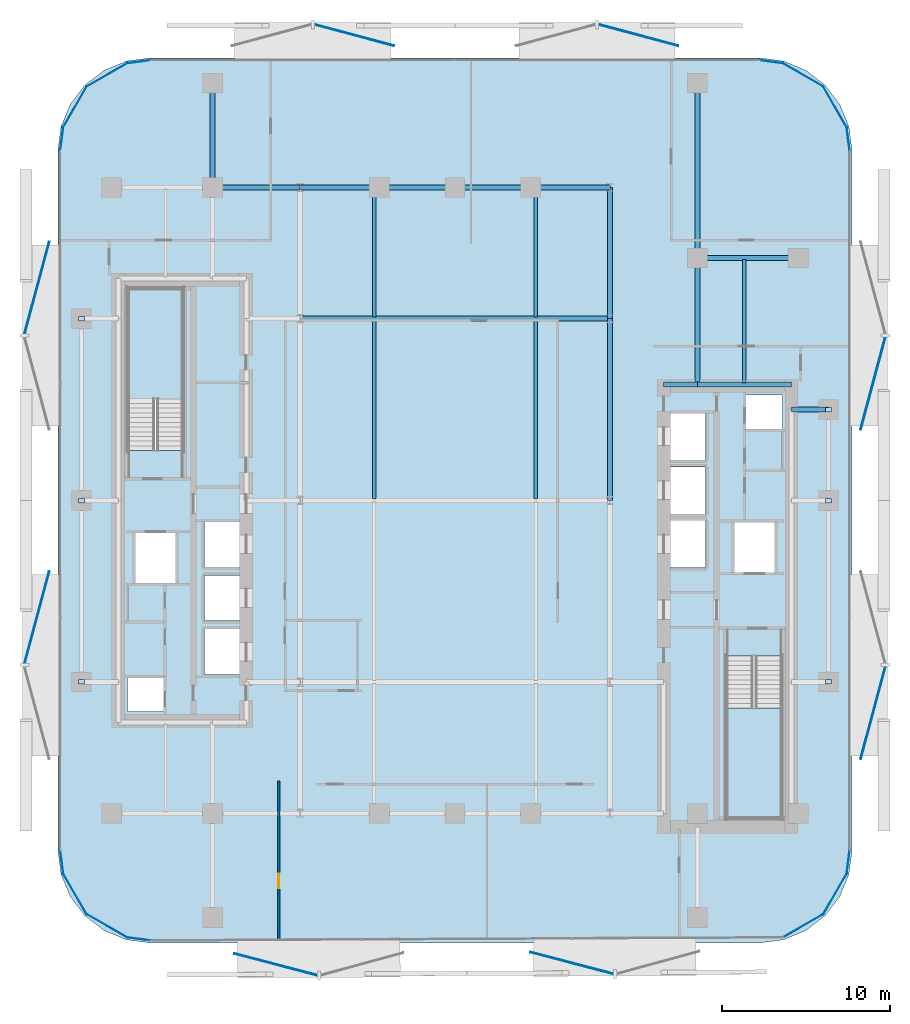
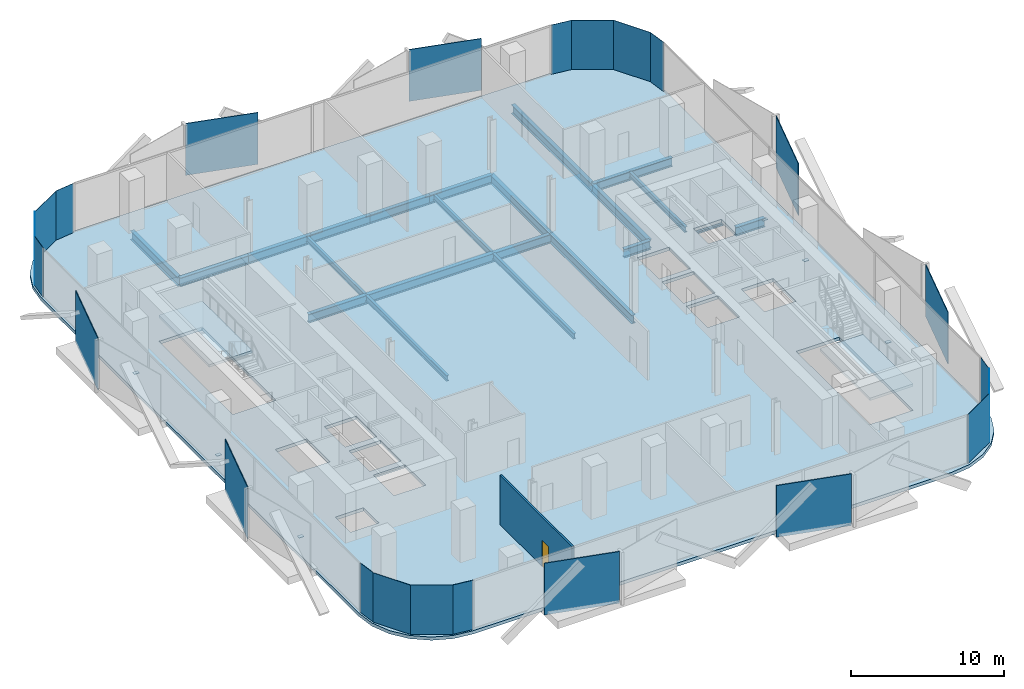
# One storey, part 2 of 15: 29 plates, 20 beams, 3 slabs, 1 door, 1 wall, 1 opening, 2 elements without a shape of their own.
"""IFC4 building model written with IfcOpenShell, lengths in metres."""

from ifc_helpers import new_model, si_unit, direction, frame, frame_2d, origin, origin_2d, place, context, subcontext, project, spatial, polyline, rectangle, i_section, outline, extrude, material, layer, layer_set, material_profile, profile_set, type_object, element, fill, aggregate, save


model = new_model("IFC4")

# Units and contexts
model_context = context("Model", 3, precision=1e-05, world=origin(), true_north=direction((0.0, 1.0)))
body_context = subcontext(model_context, "Body", "Model", "MODEL_VIEW")
ifc_project = project(units=[si_unit("LENGTHUNIT", "METRE"), si_unit("AREAUNIT", "SQUARE_METRE"), si_unit("VOLUMEUNIT", "CUBIC_METRE"), si_unit("PLANEANGLEUNIT", "RADIAN"), si_unit("MASSUNIT", "GRAM", prefix="KILO")], contexts=[model_context])

# Site, building, storey
site_placement = place(None, origin())
site = spatial("IfcSite", under=ifc_project, at=site_placement, CompositionType="ELEMENT")
building_placement = place(site_placement, origin())
building = spatial("IfcBuilding", under=site, at=building_placement, Name="Khairoan Windgate Tower", CompositionType="ELEMENT")
storey_placement = place(building_placement, frame((0.0, 0.0, 143.60009765625)))
storey = spatial("IfcBuildingStorey", under=building, at=storey_placement, Name="L33", CompositionType="ELEMENT", Elevation=143.60009765625)

# Beams
ifc_material_1 = material(Name="Steel S355", Category="steel")
ifc_material_profile_1 = material_profile(ifc_material_1, i_section(OverallWidth=0.300048828125, OverallDepth=0.699951171875, WebThickness=0.012939453125, FlangeThickness=0.02392578125, FilletRadius=0.02587890625, at=origin_2d()))
ifc_profile_set_1 = profile_set([ifc_material_profile_1], Name="Steel S355")
beam_type_1 = type_object("IfcBeamType", Name="Beam B-G3 H700x300x13x24", PredefinedType="BEAM", material=ifc_profile_set_1)
beam_1_placement = place(storey_placement, frame((20.0, 5.39990234375, -0.610107421875), z_axis=(1.0, 0.0, 0.0), x_axis=(0.0, 1.0, 0.0)))
element("IfcBeam", 1, at=beam_1_placement, inside=storey, type_object=beam_type_1, Name="L33 E-W Primary Girder 19", PredefinedType="BEAM", context=body_context, shape_type="SweptSolid", body=[
    extrude(i_section(OverallWidth=0.300048828125, OverallDepth=0.699951171875, WebThickness=0.012939453125, FlangeThickness=0.02392578125, FilletRadius=0.02587890625, at=origin_2d()), origin(), (0.0, 0.0, 1.0), 2.199951171875),
])
beam_2_placement = place(storey_placement, frame((12.39990234375, 6.89990234375, -0.610107421875), z_axis=(1.0, 0.0, 0.0), x_axis=(0.0, 1.0, 0.0)))
element("IfcBeam", 2, at=beam_2_placement, inside=storey, type_object=beam_type_1, Name="L33 E-W Primary Girder 20", PredefinedType="BEAM", context=body_context, shape_type="SweptSolid", body=[
    extrude(i_section(OverallWidth=0.300048828125, OverallDepth=0.699951171875, WebThickness=0.012939453125, FlangeThickness=0.02392578125, FilletRadius=0.02587890625, at=origin_2d()), origin(), (0.0, 0.0, 1.0), 2.0),
])
beam_3_placement = place(storey_placement, frame((14.39990234375, 6.89990234375, -0.610107421875), z_axis=(1.0, 0.0, 0.0), x_axis=(0.0, 1.0, 0.0)))
element("IfcBeam", 3, at=beam_3_placement, inside=storey, type_object=beam_type_1, Name="L33 E-W Primary Girder 21", PredefinedType="BEAM", context=body_context, shape_type="SweptSolid", body=[
    extrude(i_section(OverallWidth=0.300048828125, OverallDepth=0.699951171875, WebThickness=0.012939453125, FlangeThickness=0.02392578125, FilletRadius=0.02587890625, at=origin_2d()), origin(), (0.0, 0.0, 1.0), 5.60009765625),
])
beam_4_placement = place(storey_placement, frame((-9.199951171875, 10.800048828125, -0.610107421875), z_axis=(1.0, 0.0, 0.0), x_axis=(0.0, 1.0, 0.0)))
element("IfcBeam", 4, at=beam_4_placement, inside=storey, type_object=beam_type_1, Name="L33 E-W Primary Girder 24", PredefinedType="BEAM", context=body_context, shape_type="SweptSolid", body=[
    extrude(i_section(OverallWidth=0.300048828125, OverallDepth=0.699951171875, WebThickness=0.012939453125, FlangeThickness=0.02392578125, FilletRadius=0.02587890625, at=origin_2d()), origin(), (0.0, 0.0, 1.0), 18.39990234375),
])
beam_5_placement = place(storey_placement, frame((14.39990234375, 14.39990234375, -0.610107421875), z_axis=(1.0, 0.0, 0.0), x_axis=(0.0, 1.0, 0.0)))
element("IfcBeam", 5, at=beam_5_placement, inside=storey, type_object=beam_type_1, Name="L33 E-W Primary Girder 27", PredefinedType="BEAM", context=body_context, shape_type="SweptSolid", body=[
    extrude(i_section(OverallWidth=0.300048828125, OverallDepth=0.699951171875, WebThickness=0.012939453125, FlangeThickness=0.02392578125, FilletRadius=0.02587890625, at=origin_2d()), origin(), (0.0, 0.0, 1.0), 6.0),
])
beam_6_placement = place(storey_placement, frame((-14.39990234375, 18.60009765625, -0.610107421875), z_axis=(1.0, 0.0, 0.0), x_axis=(0.0, 1.0, 0.0)))
element("IfcBeam", 6, at=beam_6_placement, inside=storey, type_object=beam_type_1, Name="L33 E-W Primary Girder 29", PredefinedType="BEAM", context=body_context, shape_type="SweptSolid", body=[
    extrude(i_section(OverallWidth=0.300048828125, OverallDepth=0.699951171875, WebThickness=0.012939453125, FlangeThickness=0.02392578125, FilletRadius=0.02587890625, at=origin_2d()), origin(), (0.0, 0.0, 1.0), 5.199951171875),
])
beam_7_placement = place(storey_placement, frame((-9.199951171875, 18.60009765625, -0.610107421875), z_axis=(1.0, 0.0, 0.0), x_axis=(0.0, 1.0, 0.0)))
element("IfcBeam", 7, at=beam_7_placement, inside=storey, type_object=beam_type_1, Name="L33 E-W Primary Girder 30", PredefinedType="BEAM", context=body_context, shape_type="SweptSolid", body=[
    extrude(i_section(OverallWidth=0.300048828125, OverallDepth=0.699951171875, WebThickness=0.012939453125, FlangeThickness=0.02392578125, FilletRadius=0.02587890625, at=origin_2d()), origin(), (0.0, 0.0, 1.0), 4.699951171875),
])
for number, where, z_axis, x_axis, name in (
    (8, (-4.5, 18.60009765625, -0.610107421875), (1.0, 0.0, 0.0), (0.0, 1.0, 0.0), "L33 E-W Primary Girder 31"),
    (9, (0.0, 18.60009765625, -0.610107421875), (1.0, 0.0, 0.0), (0.0, 1.0, 0.0), "L33 E-W Primary Girder 32"),
):
    element("IfcBeam", number, at=place(storey_placement, frame(where, z_axis=z_axis, x_axis=x_axis)), inside=storey, type_object=beam_type_1, Name=name, PredefinedType="BEAM", context=body_context, shape_type="SweptSolid", body=[
        extrude(i_section(OverallWidth=0.300048828125, OverallDepth=0.699951171875, WebThickness=0.012939453125, FlangeThickness=0.02392578125, FilletRadius=0.02587890625, at=origin_2d()), origin(), (0.0, 0.0, 1.0), 4.5),
    ])
beam_8_placement = place(storey_placement, frame((4.5, 18.60009765625, -0.610107421875), z_axis=(1.0, 0.0, 0.0), x_axis=(0.0, 1.0, 0.0)))
element("IfcBeam", 10, at=beam_8_placement, inside=storey, type_object=beam_type_1, Name="L33 E-W Primary Girder 33", PredefinedType="BEAM", context=body_context, shape_type="SweptSolid", body=[
    extrude(i_section(OverallWidth=0.300048828125, OverallDepth=0.699951171875, WebThickness=0.012939453125, FlangeThickness=0.02392578125, FilletRadius=0.02587890625, at=origin_2d()), origin(), (0.0, 0.0, 1.0), 4.699951171875),
])
beam_9_placement = place(storey_placement, frame((-14.39990234375, 18.60009765625, -0.610107421875), z_axis=(0.0, 1.0, 0.0), x_axis=(-1.0, 0.0, 0.0)))
element("IfcBeam", 11, at=beam_9_placement, inside=storey, type_object=beam_type_1, Name="L33 N-S Primary Beam 43", PredefinedType="BEAM", context=body_context, shape_type="SweptSolid", body=[
    extrude(i_section(OverallWidth=0.300048828125, OverallDepth=0.699951171875, WebThickness=0.012939453125, FlangeThickness=0.02392578125, FilletRadius=0.02587890625, at=origin_2d()), origin(), (0.0, 0.0, 1.0), 6.199951171875),
])
beam_10_placement = place(storey_placement, frame((9.199951171875, 0.0, -0.610107421875), z_axis=(0.0, 1.0, 0.0), x_axis=(-1.0, 0.0, 0.0)))
element("IfcBeam", 12, at=beam_10_placement, inside=storey, type_object=beam_type_1, Name="L33 N-S Primary Beam 53", PredefinedType="BEAM", context=body_context, shape_type="SweptSolid", body=[
    extrude(i_section(OverallWidth=0.300048828125, OverallDepth=0.699951171875, WebThickness=0.012939453125, FlangeThickness=0.02392578125, FilletRadius=0.02587890625, at=origin_2d()), origin(), (0.0, 0.0, 1.0), 10.800048828125),
])
beam_11_placement = place(storey_placement, frame((9.199951171875, 10.800048828125, -0.610107421875), z_axis=(0.0, 1.0, 0.0), x_axis=(-1.0, 0.0, 0.0)))
element("IfcBeam", 13, at=beam_11_placement, inside=storey, type_object=beam_type_1, Name="L33 N-S Primary Beam 54", PredefinedType="BEAM", context=body_context, shape_type="SweptSolid", body=[
    extrude(i_section(OverallWidth=0.300048828125, OverallDepth=0.699951171875, WebThickness=0.012939453125, FlangeThickness=0.02392578125, FilletRadius=0.02587890625, at=origin_2d()), origin(), (0.0, 0.0, 1.0), 7.800048828125),
])
beam_12_placement = place(storey_placement, frame((14.39990234375, 6.89990234375, -0.610107421875), z_axis=(0.0, 1.0, 0.0), x_axis=(-1.0, 0.0, 0.0)))
element("IfcBeam", 14, at=beam_12_placement, inside=storey, type_object=beam_type_1, Name="L33 N-S Primary Beam 57", PredefinedType="BEAM", context=body_context, shape_type="SweptSolid", body=[
    extrude(i_section(OverallWidth=0.300048828125, OverallDepth=0.699951171875, WebThickness=0.012939453125, FlangeThickness=0.02392578125, FilletRadius=0.02587890625, at=origin_2d()), origin(), (0.0, 0.0, 1.0), 7.5),
])
beam_13_placement = place(storey_placement, frame((14.39990234375, 14.39990234375, -0.610107421875), z_axis=(0.0, 1.0, 0.0), x_axis=(-1.0, 0.0, 0.0)))
element("IfcBeam", 15, at=beam_13_placement, inside=storey, type_object=beam_type_1, Name="L33 N-S Primary Beam 58", PredefinedType="BEAM", context=body_context, shape_type="SweptSolid", body=[
    extrude(i_section(OverallWidth=0.300048828125, OverallDepth=0.699951171875, WebThickness=0.012939453125, FlangeThickness=0.02392578125, FilletRadius=0.02587890625, at=origin_2d()), origin(), (0.0, 0.0, 1.0), 10.400146484375),
])
ifc_material_2 = material(Name="Steel S355", Category="steel")
ifc_material_profile_2 = material_profile(ifc_material_2, i_section(OverallWidth=0.199951171875, OverallDepth=0.449951171875, WebThickness=0.009033203125, FlangeThickness=0.013916015625, FilletRadius=0.01806640625, at=origin_2d()))
ifc_profile_set_2 = profile_set([ifc_material_profile_2], Name="Steel S355")
beam_type_2 = type_object("IfcBeamType", Name="Beam J-S3 H450x200x9x14", PredefinedType="JOIST", material=ifc_profile_set_2)
beam_14_placement = place(storey_placement, frame((-4.800048828125, 0.090087890625, -0.485107421875), z_axis=(0.0, 1.0, 0.0), x_axis=(-1.0, 0.0, 0.0)))
element("IfcBeam", 16, at=beam_14_placement, inside=storey, type_object=beam_type_2, Name="L33 Secondary Floor Joist 05", PredefinedType="JOIST", context=body_context, shape_type="SweptSolid", body=[
    extrude(i_section(OverallWidth=0.199951171875, OverallDepth=0.449951171875, WebThickness=0.009033203125, FlangeThickness=0.013916015625, FilletRadius=0.01806640625, at=origin_2d()), origin(), (0.0, 0.0, 1.0), 10.619873046875),
])
beam_15_placement = place(storey_placement, frame((-4.800048828125, 10.889892578125, -0.485107421875), z_axis=(0.0, 1.0, 0.0), x_axis=(-1.0, 0.0, 0.0)))
element("IfcBeam", 17, at=beam_15_placement, inside=storey, type_object=beam_type_2, Name="L33 Secondary Floor Joist 06", PredefinedType="JOIST", context=body_context, shape_type="SweptSolid", body=[
    extrude(i_section(OverallWidth=0.199951171875, OverallDepth=0.449951171875, WebThickness=0.009033203125, FlangeThickness=0.013916015625, FilletRadius=0.01806640625, at=origin_2d()), origin(), (0.0, 0.0, 1.0), 7.6201171875),
])
beam_16_placement = place(storey_placement, frame((4.800048828125, 0.090087890625, -0.485107421875), z_axis=(0.0, 1.0, 0.0), x_axis=(-1.0, 0.0, 0.0)))
element("IfcBeam", 18, at=beam_16_placement, inside=storey, type_object=beam_type_2, Name="L33 Secondary Floor Joist 09", PredefinedType="JOIST", context=body_context, shape_type="SweptSolid", body=[
    extrude(i_section(OverallWidth=0.199951171875, OverallDepth=0.449951171875, WebThickness=0.009033203125, FlangeThickness=0.013916015625, FilletRadius=0.01806640625, at=origin_2d()), origin(), (0.0, 0.0, 1.0), 10.619873046875),
])
beam_17_placement = place(storey_placement, frame((4.800048828125, 10.889892578125, -0.485107421875), z_axis=(0.0, 1.0, 0.0), x_axis=(-1.0, 0.0, 0.0)))
element("IfcBeam", 19, at=beam_17_placement, inside=storey, type_object=beam_type_2, Name="L33 Secondary Floor Joist 10", PredefinedType="JOIST", context=body_context, shape_type="SweptSolid", body=[
    extrude(i_section(OverallWidth=0.199951171875, OverallDepth=0.449951171875, WebThickness=0.009033203125, FlangeThickness=0.013916015625, FilletRadius=0.01806640625, at=origin_2d()), origin(), (0.0, 0.0, 1.0), 7.6201171875),
])
beam_18_placement = place(storey_placement, frame((17.199951171875, 6.989990234375, -0.485107421875), z_axis=(0.0, 1.0, 0.0), x_axis=(-1.0, 0.0, 0.0)))
element("IfcBeam", 20, at=beam_18_placement, inside=storey, type_object=beam_type_2, Name="L33 Secondary Floor Joist 11", PredefinedType="JOIST", context=body_context, shape_type="SweptSolid", body=[
    extrude(i_section(OverallWidth=0.199951171875, OverallDepth=0.449951171875, WebThickness=0.009033203125, FlangeThickness=0.013916015625, FilletRadius=0.01806640625, at=origin_2d()), origin(), (0.0, 0.0, 1.0), 7.320068359375),
])

# Plates
ifc_material_3 = material(Name="Low-E Solar Control Laminated Glass", Category="glass")
ifc_layer_1 = layer(ifc_material_3, 0.030029296875, Name="Low-E Solar Control Laminated Glass")
ifc_layer_set_1 = layer_set([ifc_layer_1], Name="Low-E Solar Control Laminated Glass")
plate_type_1 = type_object("IfcPlateType", Name="Aerodynamic Wind-Corner Curved Glazing Plate", PredefinedType="USERDEFINED", material=ifc_layer_set_1)
plate_placement = place(storey_placement, frame((-18.788818359375, -26.068115234375, 0.0), z_axis=(0.0, 0.0, 1.0), x_axis=(-0.991444861374, 0.13052619222, 0.0)))
element("IfcPlate", 21, at=plate_placement, inside=storey, type_object=plate_type_1, Name="L33 Aerodynamic Wind-Corner Curved Glazing Panel 2", ObjectType="GLAZING PANEL", PredefinedType="USERDEFINED", context=body_context, shape_type="SweptSolid", body=[
    extrude(rectangle(XDim=1.4482421875, YDim=0.028076171875, at=origin_2d()), origin(), (0.0, 0.0, 1.0), 3.93994140625),
])
for number, where, z_axis, x_axis, name in (
    (22, (-20.688232421875, -25.28271484375, 0.0), (0.0, 0.0, 1.0), (-0.866025403784, 0.5, 0.0), "L33 Aerodynamic Wind-Corner Curved Glazing Panel 3"),
    (23, (-22.582763671875, -23.38818359375, 0.0), (0.0, 0.0, 1.0), (-0.5, 0.866025403784, 0.0), "L33 Aerodynamic Wind-Corner Curved Glazing Panel 4"),
):
    element("IfcPlate", number, at=place(storey_placement, frame(where, z_axis=z_axis, x_axis=x_axis)), inside=storey, type_object=plate_type_1, Name=name, ObjectType="GLAZING PANEL", PredefinedType="USERDEFINED", context=body_context, shape_type="SweptSolid", body=[
        extrude(rectangle(XDim=2.81396484375, YDim=0.028076171875, at=origin_2d()), origin(), (0.0, 0.0, 1.0), 3.93994140625),
    ])
for number, where, z_axis, x_axis, name in (
    (24, (-23.3681640625, -21.489013671875, 0.0), (0.0, 0.0, 1.0), (-0.13052619222, 0.991444861374, 0.0), "L33 Aerodynamic Wind-Corner Curved Glazing Panel 5"),
    (25, (-23.3681640625, 21.489013671875, 0.0), (0.0, 0.0, 1.0), (0.13052619222, 0.991444861374, 0.0), "L33 Aerodynamic Wind-Corner Curved Glazing Panel 7"),
):
    element("IfcPlate", number, at=place(storey_placement, frame(where, z_axis=z_axis, x_axis=x_axis)), inside=storey, type_object=plate_type_1, Name=name, ObjectType="GLAZING PANEL", PredefinedType="USERDEFINED", context=body_context, shape_type="SweptSolid", body=[
        extrude(rectangle(XDim=1.4482421875, YDim=0.028076171875, at=origin_2d()), origin(), (0.0, 0.0, 1.0), 3.93994140625),
    ])
for number, where, z_axis, x_axis, name in (
    (26, (-22.582763671875, 23.38818359375, 0.0), (0.0, 0.0, 1.0), (0.5, 0.866025403784, 0.0), "L33 Aerodynamic Wind-Corner Curved Glazing Panel 8"),
    (27, (-20.688232421875, 25.28271484375, 0.0), (0.0, 0.0, 1.0), (0.866025403784, 0.5, 0.0), "L33 Aerodynamic Wind-Corner Curved Glazing Panel 9"),
):
    element("IfcPlate", number, at=place(storey_placement, frame(where, z_axis=z_axis, x_axis=x_axis)), inside=storey, type_object=plate_type_1, Name=name, ObjectType="GLAZING PANEL", PredefinedType="USERDEFINED", context=body_context, shape_type="SweptSolid", body=[
        extrude(rectangle(XDim=2.81396484375, YDim=0.028076171875, at=origin_2d()), origin(), (0.0, 0.0, 1.0), 3.93994140625),
    ])
for number, where, z_axis, x_axis, name in (
    (28, (-18.788818359375, 26.068115234375, 0.0), (0.0, 0.0, 1.0), (0.991444861374, 0.13052619222, 0.0), "L33 Aerodynamic Wind-Corner Curved Glazing Panel 10"),
    (29, (18.788818359375, 26.068115234375, 0.0), (0.0, 0.0, 1.0), (0.991444861374, -0.13052619222, 0.0), "L33 Aerodynamic Wind-Corner Curved Glazing Panel 12"),
):
    element("IfcPlate", number, at=place(storey_placement, frame(where, z_axis=z_axis, x_axis=x_axis)), inside=storey, type_object=plate_type_1, Name=name, ObjectType="GLAZING PANEL", PredefinedType="USERDEFINED", context=body_context, shape_type="SweptSolid", body=[
        extrude(rectangle(XDim=1.4482421875, YDim=0.028076171875, at=origin_2d()), origin(), (0.0, 0.0, 1.0), 3.93994140625),
    ])
for number, where, z_axis, x_axis, name in (
    (30, (20.688232421875, 25.28271484375, 0.0), (0.0, 0.0, 1.0), (0.866025403784, -0.5, 0.0), "L33 Aerodynamic Wind-Corner Curved Glazing Panel 13"),
    (31, (22.582763671875, 23.38818359375, 0.0), (0.0, 0.0, 1.0), (0.5, -0.866025403784, 0.0), "L33 Aerodynamic Wind-Corner Curved Glazing Panel 14"),
):
    element("IfcPlate", number, at=place(storey_placement, frame(where, z_axis=z_axis, x_axis=x_axis)), inside=storey, type_object=plate_type_1, Name=name, ObjectType="GLAZING PANEL", PredefinedType="USERDEFINED", context=body_context, shape_type="SweptSolid", body=[
        extrude(rectangle(XDim=2.81396484375, YDim=0.028076171875, at=origin_2d()), origin(), (0.0, 0.0, 1.0), 3.93994140625),
    ])
for number, where, z_axis, x_axis, name in (
    (32, (23.3681640625, 21.489013671875, 0.0), (0.0, 0.0, 1.0), (0.13052619222, -0.991444861374, 0.0), "L33 Aerodynamic Wind-Corner Curved Glazing Panel 15"),
    (33, (23.3681640625, -21.489013671875, 0.0), (0.0, 0.0, 1.0), (-0.13052619222, -0.991444861374, 0.0), "L33 Aerodynamic Wind-Corner Curved Glazing Panel 17"),
):
    element("IfcPlate", number, at=place(storey_placement, frame(where, z_axis=z_axis, x_axis=x_axis)), inside=storey, type_object=plate_type_1, Name=name, ObjectType="GLAZING PANEL", PredefinedType="USERDEFINED", context=body_context, shape_type="SweptSolid", body=[
        extrude(rectangle(XDim=1.4482421875, YDim=0.028076171875, at=origin_2d()), origin(), (0.0, 0.0, 1.0), 3.93994140625),
    ])
for number, where, z_axis, x_axis, name in (
    (34, (22.582763671875, -23.38818359375, 0.0), (0.0, 0.0, 1.0), (-0.5, -0.866025403784, 0.0), "L33 Aerodynamic Wind-Corner Curved Glazing Panel 18"),
    (35, (20.688232421875, -25.28271484375, 0.0), (0.0, 0.0, 1.0), (-0.866025403784, -0.5, 0.0), "L33 Aerodynamic Wind-Corner Curved Glazing Panel 19"),
):
    element("IfcPlate", number, at=place(storey_placement, frame(where, z_axis=z_axis, x_axis=x_axis)), inside=storey, type_object=plate_type_1, Name=name, ObjectType="GLAZING PANEL", PredefinedType="USERDEFINED", context=body_context, shape_type="SweptSolid", body=[
        extrude(rectangle(XDim=2.81396484375, YDim=0.028076171875, at=origin_2d()), origin(), (0.0, 0.0, 1.0), 3.93994140625),
    ])
ifc_material_4 = material(Name="Steel S355", Category="steel")
ifc_layer_2 = layer(ifc_material_4, 0.0400390625, Name="Steel S355")
ifc_layer_set_2 = layer_set([ifc_layer_2], Name="Steel S355")
plate_type_2 = type_object("IfcPlateType", Name="Hollow Section End-Cap Plate PL-CAP40", PredefinedType="SHEET", material=ifc_layer_set_2)
for number, where, z_axis, x_axis, name in (
    (36, (-22.199951171875, -10.784912109375, -0.455078125), (0.0, 0.0, 1.0), (0.0, 1.0, 0.0), "BM-SP-L33-034 steel end-cap plate 1"),
    (37, (-22.199951171875, -0.014892578125, -0.455078125), (0.0, 0.0, 1.0), (0.0, 1.0, 0.0), "BM-SP-L33-034 steel end-cap plate 2"),
    (38, (-22.199951171875, 10.784912109375, -0.455078125), (0.0, 0.0, 1.0), (0.0, 1.0, 0.0), "BM-SP-L33-035 steel end-cap plate 2"),
    (39, (22.199951171875, -10.784912109375, -0.455078125), (0.0, 0.0, 1.0), (0.0, 1.0, 0.0), "BM-SP-L33-062 steel end-cap plate 1"),
    (40, (22.199951171875, -0.014892578125, -0.455078125), (0.0, 0.0, 1.0), (0.0, 1.0, 0.0), "BM-SP-L33-062 steel end-cap plate 2"),
    (41, (22.199951171875, 5.385009765625, -0.455078125), (0.0, 0.0, 1.0), (0.0, 1.0, 0.0), "BM-SP-L33-063 steel end-cap plate 2"),
):
    element("IfcPlate", number, at=place(storey_placement, frame(where, z_axis=z_axis, x_axis=x_axis)), inside=storey, type_object=plate_type_2, Name=name, PredefinedType="SHEET", context=body_context, shape_type="SweptSolid", body=[
        extrude(rectangle(XDim=0.27001953125, YDim=0.3701171875, at=origin_2d()), origin(), (0.0, 0.0, 1.0), 0.0400390625),
    ])
ifc_material_5 = material(Name="Anodised Bronze Aluminium 6063-T6", Category="aluminium")
ifc_layer_3 = layer(ifc_material_5, 0.054931640625, Name="Anodised Bronze Aluminium 6063-T6")
ifc_layer_set_3 = layer_set([ifc_layer_3], Name="Anodised Bronze Aluminium 6063-T6")
plate_type_3 = type_object("IfcPlateType", Name="Perforated Bronze Solar Screen Panel BSP-1", PredefinedType="USERDEFINED", material=ifc_layer_set_3)
for number, where, z_axis, x_axis, name in (
    (42, (6.946044921875, -27.497314453125, -0.10009765625), (0.0, 0.0, 1.0), (-0.967179115616, 0.254095569259, 0.0), "L33 Perforated Bronze Solar Screen Panel 209R"),
    (43, (-10.642822265625, -27.58349609375, -0.10009765625), (0.0, 0.0, 1.0), (-0.967179115616, 0.254095569259, 0.0), "L33 Perforated Bronze Solar Screen Panel 210R"),
):
    element("IfcPlate", number, at=place(storey_placement, frame(where, z_axis=z_axis, x_axis=x_axis)), inside=storey, type_object=plate_type_3, Name=name, ObjectType="SCREEN", PredefinedType="USERDEFINED", context=body_context, shape_type="SweptSolid", body=[
        extrude(rectangle(XDim=5.10107421875, YDim=0.054931640625, at=origin_2d()), origin(), (0.0, 0.0, 1.0), 4.139892578125),
    ])
for number, where, z_axis, x_axis, name in (
    (44, (-24.8447265625, -6.961669921875, -0.10009765625), (0.0, 0.0, 1.0), (0.258819045103, 0.965925826289, 0.0), "L33 Perforated Bronze Solar Screen Panel 211R"),
    (45, (-24.8447265625, 12.629150390625, -0.10009765625), (0.0, 0.0, 1.0), (0.258819045103, 0.965925826289, 0.0), "L33 Perforated Bronze Solar Screen Panel 212R"),
):
    element("IfcPlate", number, at=place(storey_placement, frame(where, z_axis=z_axis, x_axis=x_axis)), inside=storey, type_object=plate_type_3, Name=name, ObjectType="SCREEN", PredefinedType="USERDEFINED", context=body_context, shape_type="SweptSolid", body=[
        extrude(rectangle(XDim=5.680908203125, YDim=0.054931640625, at=origin_2d()), origin(), (0.0, 0.0, 1.0), 4.139892578125),
    ])
for number, where, z_axis, x_axis, name in (
    (46, (-5.98974609375, 27.646240234375, -0.10009765625), (0.0, 0.0, 1.0), (0.965925826289, -0.258819045103, 0.0), "L33 Perforated Bronze Solar Screen Panel 213R"),
    (47, (10.90087890625, 27.646240234375, -0.10009765625), (0.0, 0.0, 1.0), (0.965925826289, -0.258819045103, 0.0), "L33 Perforated Bronze Solar Screen Panel 214R"),
):
    element("IfcPlate", number, at=place(storey_placement, frame(where, z_axis=z_axis, x_axis=x_axis)), inside=storey, type_object=plate_type_3, Name=name, ObjectType="SCREEN", PredefinedType="USERDEFINED", context=body_context, shape_type="SweptSolid", body=[
        extrude(rectangle(XDim=4.89794921875, YDim=0.054931640625, at=origin_2d()), origin(), (0.0, 0.0, 1.0), 4.139892578125),
    ])
for number, where, z_axis, x_axis, name in (
    (48, (24.8447265625, 6.961669921875, -0.10009765625), (0.0, 0.0, 1.0), (-0.258819045103, -0.965925826289, 0.0), "L33 Perforated Bronze Solar Screen Panel 215R"),
    (49, (24.8447265625, -12.629150390625, -0.10009765625), (0.0, 0.0, 1.0), (-0.258819045103, -0.965925826289, 0.0), "L33 Perforated Bronze Solar Screen Panel 216R"),
):
    element("IfcPlate", number, at=place(storey_placement, frame(where, z_axis=z_axis, x_axis=x_axis)), inside=storey, type_object=plate_type_3, Name=name, ObjectType="SCREEN", PredefinedType="USERDEFINED", context=body_context, shape_type="SweptSolid", body=[
        extrude(rectangle(XDim=5.680908203125, YDim=0.054931640625, at=origin_2d()), origin(), (0.0, 0.0, 1.0), 4.139892578125),
    ])

# Stair, slab
ifc_material_6 = material(Name="Concrete C40/50", Category="concrete")
stair_type = type_object("IfcStairType", Name="Tower Core Dog-Leg Stair ST-T1 1560mm", PredefinedType="HALF_TURN_STAIR", material=ifc_material_6)
stair_1_placement = place(storey_placement, origin())
stair_1 = element("IfcStair", 50, at=stair_1_placement, inside=storey, type_object=stair_type, Name="L33 Stair ST1", PredefinedType="HALF_TURN_STAIR")
ifc_material_7 = material(Name="Concrete C40/50", Category="concrete")
ifc_layer_4 = layer(ifc_material_7, 0.199951171875, Name="Concrete C40/50")
ifc_layer_set_4 = layer_set([ifc_layer_4], Name="Concrete C40/50")
slab_type_1 = type_object("IfcSlabType", Name="Reinforced Concrete Stair Landing Slab STL-200", PredefinedType="LANDING", material=ifc_layer_set_4)
slab_1_placement = place(storey_placement, frame((0.0, 0.0, 1.89990234375)))
slab_1 = element("IfcSlab", 51, at=slab_1_placement, type_object=slab_type_1, Name="ST1 landing 1", PredefinedType="LANDING", context=body_context, shape_type="SweptSolid", body=[
    extrude(outline(polyline([(16.14990234375, -12.340087890625), (16.14990234375, -18.89990234375), (19.419921875, -18.89990234375), (19.419921875, -12.340087890625), (16.14990234375, -12.340087890625)])), origin(), (0.0, 0.0, 1.0), 0.199951171875),
])
aggregate(stair_1, [slab_1])

stair_2_placement = place(storey_placement, origin())
stair_2 = element("IfcStair", 52, at=stair_2_placement, inside=storey, type_object=stair_type, Name="L33 Stair ST2", PredefinedType="HALF_TURN_STAIR")
slab_2_placement = place(storey_placement, frame((0.0, 0.0, 1.89990234375)))
slab_2 = element("IfcSlab", 53, at=slab_2_placement, type_object=slab_type_1, Name="ST2 landing 1", PredefinedType="LANDING", context=body_context, shape_type="SweptSolid", body=[
    extrude(outline(polyline([(-16.14990234375, 6.0400390625), (-16.14990234375, 12.60009765625), (-19.419921875, 12.60009765625), (-19.419921875, 6.0400390625), (-16.14990234375, 6.0400390625)])), origin(), (0.0, 0.0, 1.0), 0.199951171875),
])
aggregate(stair_2, [slab_2])

# Slab
ifc_material_8 = material(Name="Concrete C40/50", Category="concrete")
ifc_layer_5 = layer(ifc_material_8, 0.260009765625, Name="Concrete C40/50")
ifc_layer_set_5 = layer_set([ifc_layer_5], Name="Concrete C40/50")
slab_type_2 = type_object("IfcSlabType", Name="Tower Composite Floor Slab FS2 260mm", PredefinedType="FLOOR", material=ifc_layer_set_5)
slab_3_placement = place(storey_placement, frame((0.0, 0.0, -0.260009765625)))
element("IfcSlab", 54, at=slab_3_placement, inside=storey, type_object=slab_type_2, Name="L33 Structural Floor Slab", PredefinedType="FLOOR", context=body_context, shape_type="SweptSolid", body=[
    extrude(outline(polyline([(18.10009765625, -26.300048828125), (19.5234375, -26.112548828125), (20.85009765625, -25.56298828125), (21.989013671875, -24.689208984375), (22.863037109375, -23.550048828125), (23.41259765625, -22.223388671875), (23.60009765625, -20.800048828125), (23.60009765625, 20.800048828125), (23.41259765625, 22.223388671875), (22.863037109375, 23.550048828125), (21.989013671875, 24.689208984375), (20.85009765625, 25.56298828125), (19.5234375, 26.112548828125), (18.10009765625, 26.300048828125), (-18.10009765625, 26.300048828125), (-19.5234375, 26.112548828125), (-20.85009765625, 25.56298828125), (-21.989013671875, 24.689208984375), (-22.863037109375, 23.550048828125), (-23.41259765625, 22.223388671875), (-23.60009765625, 20.800048828125), (-23.60009765625, -20.800048828125), (-23.41259765625, -22.223388671875), (-22.863037109375, -23.550048828125), (-21.989013671875, -24.689208984375), (-20.85009765625, -25.56298828125), (-19.5234375, -26.112548828125), (-18.10009765625, -26.300048828125), (18.10009765625, -26.300048828125)]), holes=[polyline([(16.14990234375, -9.260009765625), (16.14990234375, -18.89990234375), (19.419921875, -18.89990234375), (19.419921875, -9.260009765625), (16.14990234375, -9.260009765625)]), polyline([(-16.14990234375, 2.9599609375), (-16.14990234375, 12.60009765625), (-19.419921875, 12.60009765625), (-19.419921875, 2.9599609375), (-16.14990234375, 2.9599609375)]), polyline([(-14.89990234375, -3.949951171875), (-12.5, -3.949951171875), (-12.5, -1.25), (-14.89990234375, -1.25), (-14.89990234375, -3.949951171875)]), polyline([(-14.89990234375, -7.14990234375), (-12.5, -7.14990234375), (-12.5, -4.449951171875), (-14.89990234375, -4.449951171875), (-14.89990234375, -7.14990234375)]), polyline([(-14.89990234375, -10.35009765625), (-12.5, -10.35009765625), (-12.5, -7.64990234375), (-14.89990234375, -7.64990234375), (-14.89990234375, -10.35009765625)]), polyline([(12.5, 2.39990234375), (14.89990234375, 2.39990234375), (14.89990234375, 5.199951171875), (12.5, 5.199951171875), (12.5, 2.39990234375)]), polyline([(12.5, -0.800048828125), (14.89990234375, -0.800048828125), (14.89990234375, 2.0), (12.5, 2.0), (12.5, -0.800048828125)]), polyline([(12.5, -4.0), (14.89990234375, -4.0), (14.89990234375, -1.199951171875), (12.5, -1.199951171875), (12.5, -4.0)]), polyline([(16.60009765625, -4.300048828125), (19.0, -4.300048828125), (19.0, -1.300048828125), (16.60009765625, -1.300048828125), (16.60009765625, -4.300048828125)]), polyline([(-19.0, -4.89990234375), (-16.60009765625, -4.89990234375), (-16.60009765625, -1.89990234375), (-19.0, -1.89990234375), (-19.0, -4.89990234375)]), polyline([(-19.449951171875, -12.550048828125), (-17.31005859375, -12.550048828125), (-17.31005859375, -10.550048828125), (-19.449951171875, -10.550048828125), (-19.449951171875, -12.550048828125)]), polyline([(17.31005859375, 4.25), (19.449951171875, 4.25), (19.449951171875, 6.25), (17.31005859375, 6.25), (17.31005859375, 4.25)])]), origin(), (0.0, 0.0, 1.0), 0.260009765625),
])

# Wall, opening, door
ifc_material_9 = material(Name="Acoustic Fire-Rated Gypsum Partition", Category="gypsum")
ifc_layer_6 = layer(ifc_material_9, 0.139892578125, Name="Acoustic Fire-Rated Gypsum Partition")
ifc_layer_set_6 = layer_set([ifc_layer_6], Name="Acoustic Fire-Rated Gypsum Partition")
wall_type = type_object("IfcWallType", Name="Inter-Tenancy Compartment Wall", PredefinedType="PARTITIONING", material=ifc_layer_set_6)
wall_placement = place(storey_placement, frame((-10.471923828125, -26.11767578125, 0.0), z_axis=(0.0, 0.0, 1.0), x_axis=(0.0, 1.0, 0.0)))
wall = element("IfcWall", 55, at=wall_placement, inside=storey, type_object=wall_type, Name="L33 Interior Partition 030", PredefinedType="PARTITIONING", context=body_context, shape_type="SweptSolid", body=[
    extrude(rectangle(XDim=9.437744140625, YDim=0.139892578125, at=frame_2d((4.71875, 0.0))), origin(), (0.0, 0.0, 1.0), 3.93994140625),
])
opening_placement = place(wall_placement, frame((3.083251953125, 0.0, 0.0)))
opening = element("IfcOpeningElement", 56, at=opening_placement, cuts=wall, Name="Opening FD-SRV", PredefinedType="OPENING", context=body_context, shape_type="SweptSolid", body=[
    extrude(rectangle(XDim=0.85009765625, YDim=2.10009765625, at=frame_2d((0.425048828125, 1.050048828125))), frame((0.0, 0.079833984375, 0.0), z_axis=(0.0, -1.0, 0.0), x_axis=(1.0, 0.0, 0.0)), (0.0, 0.0, 1.0), 0.159912109375),
])
ifc_material_10 = material(Name="Steel S355", Category="steel")
door_type = type_object("IfcDoorType", Name="Core Service and Riser Fire Door FD-SRV 850x2100", OperationType="NOTDEFINED", PredefinedType="DOOR", material=ifc_material_10)
door_placement = place(opening_placement, origin())
door = element("IfcDoor", 57, at=door_placement, inside=storey, type_object=door_type, Name="L33 L33-44-L33-45 Door", OperationType="SINGLE_SWING_LEFT", OverallHeight=2.10009765625, OverallWidth=0.85009765625, PredefinedType="DOOR", context=body_context, shape_type="SweptSolid", body=[
    extrude(rectangle(XDim=0.85009765625, YDim=2.10009765625, at=frame_2d((0.425048828125, 1.050048828125))), frame((0.0, 0.02490234375, 0.0), z_axis=(0.0, -1.0, 0.0), x_axis=(1.0, 0.0, 0.0)), (0.0, 0.0, 1.0), 0.050048828125),
])
fill(opening, door)

save(model, "model.ifc")
